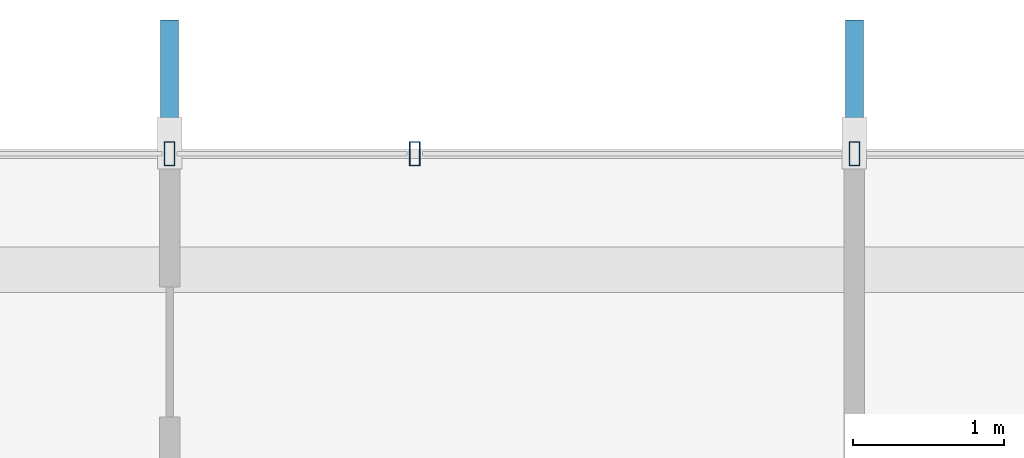
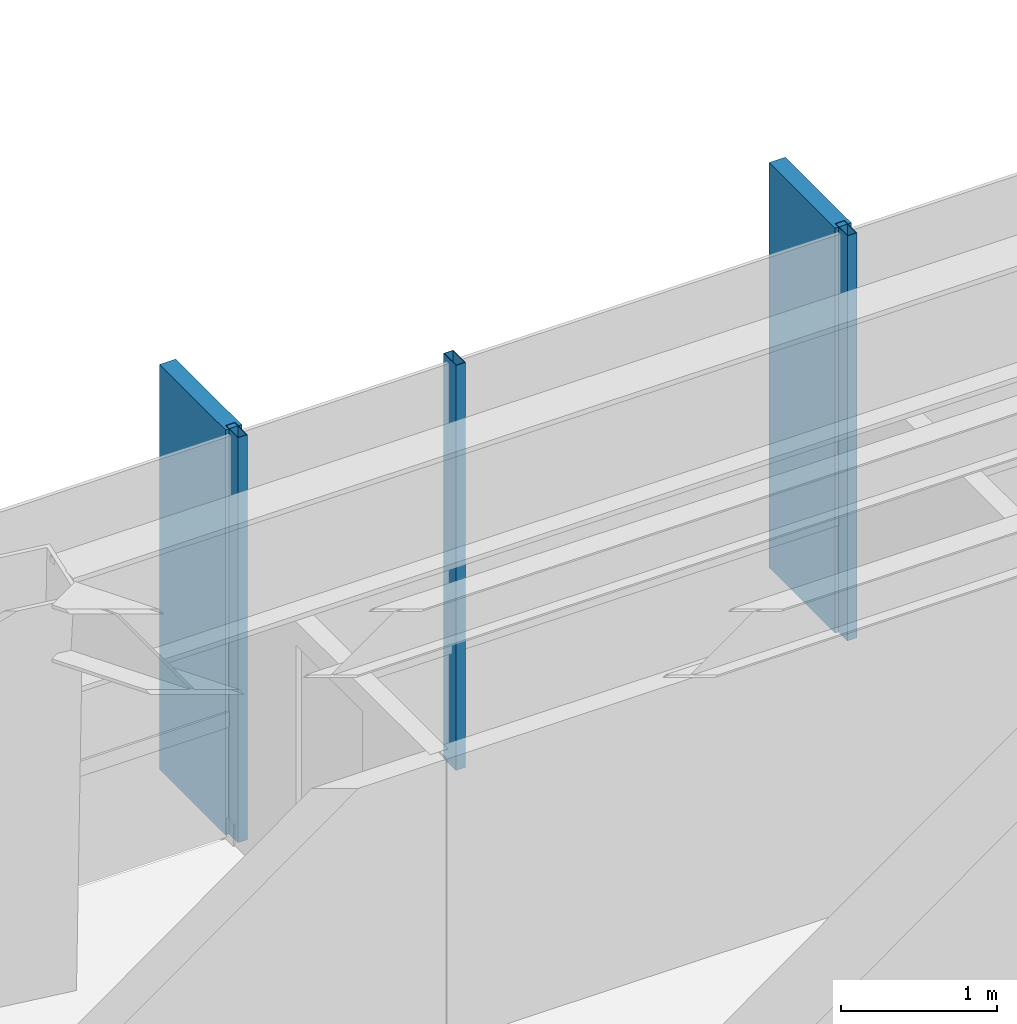
# One storey, part 16 of 27: 5 members, 1 element without a shape of its own.
"""IFC4 building model written with IfcOpenShell, lengths in metres."""

from ifc_helpers import new_model, si_unit, direction, frame, origin, origin_2d, place, context, subcontext, project, spatial, rectangle, hollow_rectangle, extrude, material, layer, layer_set, material_profile, profile_set, type_object, element, aggregate, save


model = new_model("IFC4")

# Units and contexts
model_context = context("Model", 3, precision=1e-05, world=origin(), true_north=direction((0.0, 1.0)))
body_context = subcontext(model_context, "Body", "Model", "MODEL_VIEW")
ifc_project = project(units=[si_unit("LENGTHUNIT", "METRE"), si_unit("AREAUNIT", "SQUARE_METRE"), si_unit("VOLUMEUNIT", "CUBIC_METRE"), si_unit("PLANEANGLEUNIT", "RADIAN"), si_unit("MASSUNIT", "GRAM", prefix="KILO")], contexts=[model_context])

# Site, building, storey
site_placement = place(None, origin())
site = spatial("IfcSite", under=ifc_project, at=site_placement, CompositionType="ELEMENT")
building_placement = place(site_placement, origin())
building = spatial("IfcBuilding", under=site, at=building_placement, Name="Zarrinselat Tower", CompositionType="ELEMENT")
storey_placement = place(building_placement, frame((0.0, 0.0, 235.9599609375)))
storey = spatial("IfcBuildingStorey", under=building, at=storey_placement, Name="L59", CompositionType="ELEMENT", Elevation=235.9599609375)

# Curtain wall, members
ifc_material_1 = material(Name="Extruded Aluminium Alloy EN AW-6063 T6", Category="aluminium")
ifc_layer = layer(ifc_material_1, 0.169921875)
ifc_layer_set = layer_set([ifc_layer], Name="Extruded Aluminium Alloy EN AW-6063 T6")
curtain_wall_type = type_object("IfcCurtainWallType", Name="CWS-RES", PredefinedType="NOTDEFINED", material=ifc_layer_set)
curtain_wall_placement = place(storey_placement, origin())
curtain_wall = element("IfcCurtainWall", 1, at=curtain_wall_placement, inside=storey, type_object=curtain_wall_type, Name="L59 Unitised Curtain Wall CW-L59-E01", PredefinedType="NOTDEFINED")
ifc_material_2 = material(Name="Extruded Aluminium Alloy EN AW-6063 T6", Category="aluminium")
ifc_material_profile_1 = material_profile(ifc_material_2, hollow_rectangle(XDim=0.070068359375, YDim=0.159912109375, WallThickness=0.00390625, at=origin_2d()), Name="RHS 160x70x4")
ifc_profile_set_1 = profile_set([ifc_material_profile_1], Name="Extruded Aluminium Alloy EN AW-6063 T6")
member_type_1 = type_object("IfcMemberType", Name="MEM-CW-MUL2", PredefinedType="MULLION", material=ifc_profile_set_1)
member_1_placement = place(storey_placement, frame((45.300048828125, 48.177734375, 0.0), z_axis=(0.0, 0.0, 1.0), x_axis=(-1.0, 0.0, 0.0)))
member_1 = element("IfcMember", 2, at=member_1_placement, type_object=member_type_1, Name="CW-L59-E01 Mullion 3", PredefinedType="MULLION", context=body_context, shape_type="SweptSolid", body=[
    extrude(hollow_rectangle(XDim=0.070068359375, YDim=0.159912109375, WallThickness=0.00390625, at=origin_2d()), origin(), (0.0, 0.0, 1.0), 3.179931640625),
])
member_2_placement = place(storey_placement, frame((42.393798828125, 48.177734375, 0.0), z_axis=(0.0, 0.0, 1.0), x_axis=(-1.0, 0.0, 0.0)))
member_2 = element("IfcMember", 3, at=member_2_placement, type_object=member_type_1, Name="CW-L59-E01 Mullion 4", PredefinedType="MULLION", context=body_context, shape_type="SweptSolid", body=[
    extrude(hollow_rectangle(XDim=0.070068359375, YDim=0.159912109375, WallThickness=0.00390625, at=origin_2d()), origin(), (0.0, 0.0, 1.0), 3.179931640625),
])
member_3_placement = place(storey_placement, frame((40.773681640625, 48.177734375, 0.0), z_axis=(0.0, 0.0, 1.0), x_axis=(-1.0, 0.0, 0.0)))
member_3 = element("IfcMember", 4, at=member_3_placement, type_object=member_type_1, Name="CW-L59-E01 Mullion 5", PredefinedType="MULLION", context=body_context, shape_type="SweptSolid", body=[
    extrude(hollow_rectangle(XDim=0.070068359375, YDim=0.159912109375, WallThickness=0.00390625, at=origin_2d()), origin(), (0.0, 0.0, 1.0), 3.179931640625),
])
ifc_material_3 = material(Name="Honed Cream Travertine Stone", Category="masonry")
ifc_material_profile_2 = material_profile(ifc_material_3, rectangle(XDim=0.1201171875, YDim=0.85009765625, at=origin_2d()), Name="FIN 850x120")
ifc_profile_set_2 = profile_set([ifc_material_profile_2], Name="Honed Cream Travertine Stone")
member_type_2 = type_object("IfcMemberType", Name="MEM-STONE-FIN", PredefinedType="USERDEFINED", material=ifc_profile_set_2)
member_4_placement = place(storey_placement, frame((45.300048828125, 48.6376953125, 0.0), z_axis=(0.0, 0.0, 1.0), x_axis=(1.0, 0.0, 0.0)))
member_4 = element("IfcMember", 5, at=member_4_placement, type_object=member_type_2, Name="L59 Stone Shading Fin CW-L59-E01-03", ObjectType="FIN", PredefinedType="USERDEFINED", context=body_context, shape_type="SweptSolid", body=[
    extrude(rectangle(XDim=0.1201171875, YDim=0.85009765625, at=origin_2d()), origin(), (0.0, 0.0, 1.0), 3.179931640625),
])
member_5_placement = place(storey_placement, frame((40.773681640625, 48.6376953125, 0.0), z_axis=(0.0, 0.0, 1.0), x_axis=(1.0, 0.0, 0.0)))
member_5 = element("IfcMember", 6, at=member_5_placement, type_object=member_type_2, Name="L59 Stone Shading Fin CW-L59-E01-05", ObjectType="FIN", PredefinedType="USERDEFINED", context=body_context, shape_type="SweptSolid", body=[
    extrude(rectangle(XDim=0.1201171875, YDim=0.85009765625, at=origin_2d()), origin(), (0.0, 0.0, 1.0), 3.179931640625),
])
aggregate(curtain_wall, [member_1, member_4, member_2, member_3, member_5])

save(model, "model.ifc")
